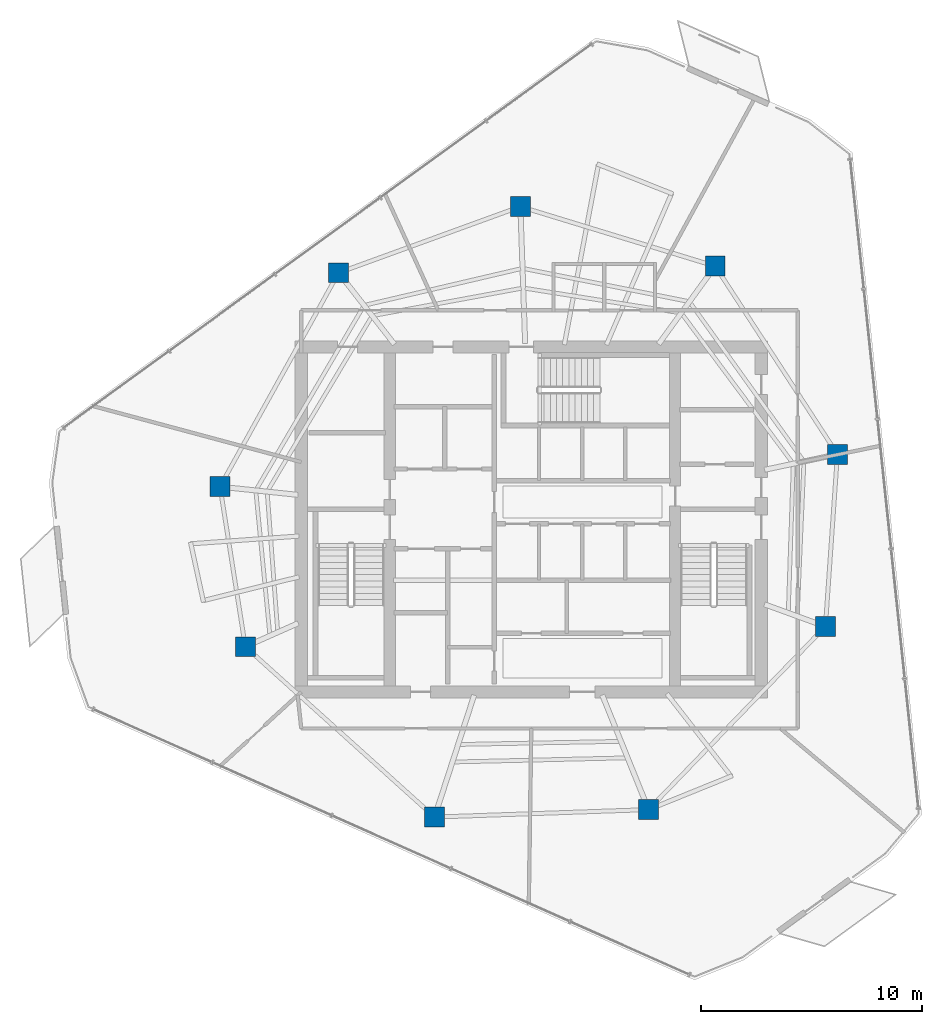
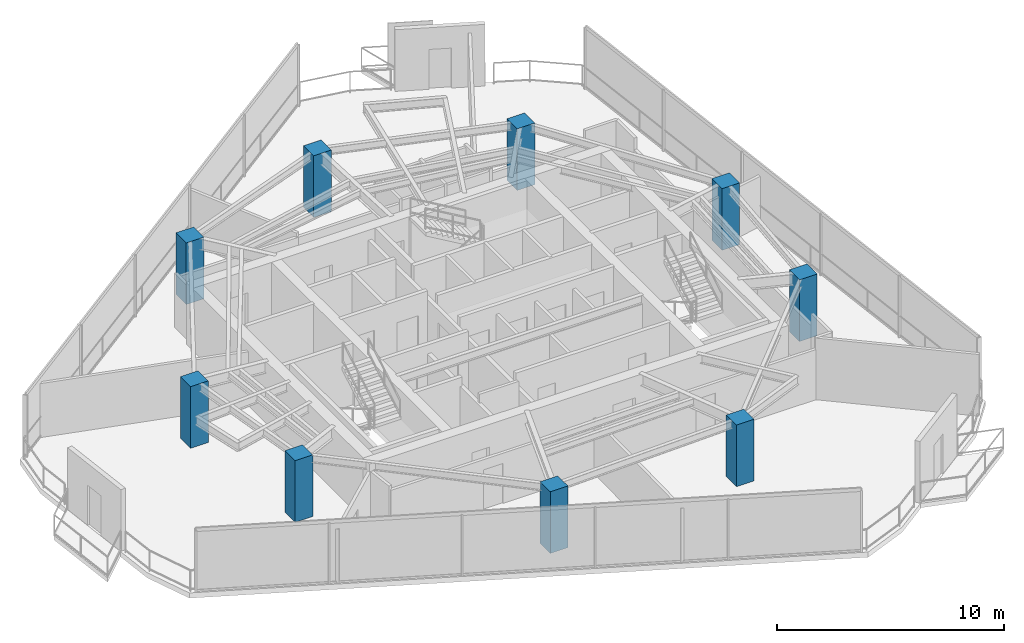
# One storey, part 1 of 20: 9 columns.
"""IFC4 building model written with IfcOpenShell, lengths in metres."""

import ifcopenshell
import ifcopenshell.guid

model = None  # the IFC model being written
_history = None  # IfcOwnerHistory: only IFC2X3 demands one
_inside = {}  # id of a spatial element -> (the spatial element, [elements in it])
_under = {}  # id of a project, library or spatial element -> (it, [spatial elements below it])
_declared = {}  # id of a project -> (the project, [libraries it declares])
_typed = {}  # id of a type object -> (the type object, [elements of that type])
_made_of = {}  # id of a material, layer set ... -> (it, [elements and type objects made of it])


def new_model(schema):
    """Start an empty IFC model of exactly this schema.

    Asked for "IFC4X3", IfcOpenShell would pick the latest addendum, in which some entities
    have other attributes; the version numbers below select the first issue.
    IFC2X3 requires an IfcOwnerHistory on every rooted entity: one is made here for all.
    """
    global model, _history
    if schema == "IFC4X3":
        model = ifcopenshell.file(schema_version=(4, 3, 0, 0))
    else:
        model = ifcopenshell.file(schema=schema)
    _inside.clear()
    _under.clear()
    _declared.clear()
    _typed.clear()
    _made_of.clear()
    _history = None
    if model.schema == "IFC2X3":
        org = make("IfcOrganization", Name="unknown")
        user = make(
            "IfcPersonAndOrganization",
            ThePerson=make("IfcPerson", FamilyName="unknown"),
            TheOrganization=org,
        )
        app = make(
            "IfcApplication",
            ApplicationDeveloper=org,
            Version="unknown",
            ApplicationFullName="unknown",
            ApplicationIdentifier="unknown",
        )
        _history = make(
            "IfcOwnerHistory",
            OwningUser=user,
            OwningApplication=app,
            ChangeAction="ADDED",
            CreationDate=0,
        )
    return model


def make(cls, **values):
    """One entity of the class cls with the attributes given. An attribute that is None is left unset."""
    return model.create_entity(
        cls, **{name: value for name, value in values.items() if value is not None}
    )


def rooted(cls, **values):
    """An entity with a GlobalId (a new one), such as an element, a storey or a relation."""
    return make(cls, GlobalId=ifcopenshell.guid.new(), OwnerHistory=_history, **values)


def si_unit(unit_type, name, prefix=None):
    """IfcSIUnit, for example si_unit("LENGTHUNIT", "METRE", prefix="MILLI")."""
    return make("IfcSIUnit", UnitType=unit_type, Prefix=prefix, Name=name)


def assignment(units):
    """IfcUnitAssignment: the units of a project."""
    return None if units is None else make("IfcUnitAssignment", Units=units)


def point(xyz):
    """IfcCartesianPoint."""
    return None if xyz is None else make("IfcCartesianPoint", Coordinates=xyz)


def direction(xyz):
    """IfcDirection."""
    return None if xyz is None else make("IfcDirection", DirectionRatios=xyz)


def frame(location, z_axis=None, x_axis=None):
    """IfcAxis2Placement3D, a coordinate frame: its origin and axes. An axis left out is left unset."""
    return make(
        "IfcAxis2Placement3D",
        Location=point(location),
        Axis=direction(z_axis),
        RefDirection=direction(x_axis),
    )


def frame_2d(location, x_axis=None):
    """IfcAxis2Placement2D, a coordinate frame in the plane: its origin and x axis."""
    return make(
        "IfcAxis2Placement2D", Location=point(location), RefDirection=direction(x_axis)
    )


def origin():
    """The frame at (0, 0, 0) with its axes left unset."""
    return frame((0.0, 0.0, 0.0))


def origin_2d():
    """The frame at (0, 0) in the plane with its x axis left unset."""
    return frame_2d((0.0, 0.0))


def place(relative_to, where):
    """IfcLocalPlacement: puts the frame where relative to a parent placement (None: the world)."""
    return make(
        "IfcLocalPlacement", PlacementRelTo=relative_to, RelativePlacement=where
    )


def context(
    kind, dimensions, precision=None, world=None, true_north=None, identifier=None
):
    """IfcGeometricRepresentationContext, for example the 3D "Model" context."""
    return make(
        "IfcGeometricRepresentationContext",
        ContextIdentifier=identifier,
        ContextType=kind,
        CoordinateSpaceDimension=dimensions,
        Precision=precision,
        WorldCoordinateSystem=world,
        TrueNorth=true_north,
    )


def subcontext(parent, identifier, kind, view, scale=None):
    """IfcGeometricRepresentationSubContext, for example "Body" below "Model"."""
    return make(
        "IfcGeometricRepresentationSubContext",
        ContextIdentifier=identifier,
        ContextType=kind,
        ParentContext=parent,
        TargetScale=scale,
        TargetView=view,
    )


def project(units=None, contexts=None):
    """IfcProject with its units and contexts."""
    return rooted(
        "IfcProject",
        Name="project",
        RepresentationContexts=contexts,
        UnitsInContext=assignment(units),
    )


def spatial(cls, under=None, at=None, **own):
    """A site, building, storey or space (cls), placed at a placement, below another one or the project."""
    s = rooted(cls, ObjectPlacement=at, **own)
    if under is not None:
        _under.setdefault(under.id(), (under, []))[1].append(s)
    return s


def profile(cls, at=None, kind="AREA", **sizes):
    """A parametric profile (cls). Its sizes go by their IFC names, for example OverallWidth=200.0."""
    return make(cls, ProfileType=kind, Position=at, **sizes)


def rectangle(**sizes):
    """IfcRectangleProfileDef."""
    return profile("IfcRectangleProfileDef", **sizes)


def extrude(swept, where, along, depth):
    """IfcExtrudedAreaSolid: the profile swept, set in the frame where, extruded along a direction by depth."""
    return make(
        "IfcExtrudedAreaSolid",
        SweptArea=swept,
        Position=where,
        ExtrudedDirection=direction(along),
        Depth=depth,
    )


def shape(context_of_items, identifier, shape_type, items):
    """IfcShapeRepresentation: the items that make up one representation, for example the "Body"."""
    return make(
        "IfcShapeRepresentation",
        ContextOfItems=context_of_items,
        RepresentationIdentifier=identifier,
        RepresentationType=shape_type,
        Items=items,
    )


def material(Name=None, Category=None):
    """IfcMaterial."""
    return make("IfcMaterial", Name=Name, Category=Category)


def material_profile(
    of_material, cross_section, Name=None, Category=None, Priority=None
):
    """IfcMaterialProfile: a cross section and its material."""
    return make(
        "IfcMaterialProfile",
        Name=Name,
        Material=of_material,
        Profile=cross_section,
        Priority=Priority,
        Category=Category,
    )


def profile_set(profiles, Name=None, composite=None):
    """IfcMaterialProfileSet."""
    return make(
        "IfcMaterialProfileSet",
        Name=Name,
        MaterialProfiles=profiles,
        CompositeProfile=composite,
    )


def made_of(thing, what):
    """Note that an element or type object is made of a material, layer set ...; save() writes the relation."""
    if what is not None:
        _made_of.setdefault(what.id(), (what, []))[1].append(thing)
    return thing


def type_object(cls, material=None, **own):
    """A type object (cls), such as IfcWallType, which elements share."""
    return made_of(rooted(cls, **own), material)


def element(
    cls,
    number,
    at=None,
    inside=None,
    cuts=None,
    type_object=None,
    material=None,
    context=None,
    identifier="Body",
    shape_type=None,
    held_by="IfcProductDefinitionShape",
    body=None,
    shapes=None,
    **own,
):
    """One element of the class cls, such as IfcWall. Its Tag is "e" and its number.

    at: its placement. inside: the storey or other place that contains it. cuts: it is an
    opening in that element (IfcRelVoidsElement). A single representation is given by context,
    identifier, shape_type and body (its items); several are given by shapes. held_by: the class
    of the entity that holds the representations. save() writes the other relations.
    """
    e = rooted(cls, Tag="e%d" % number, ObjectPlacement=at, **own)
    if body is not None:
        shapes = [shape(context, identifier, shape_type, body)]
    if shapes is not None:
        e.Representation = make(held_by, Representations=shapes)
    if inside is not None:
        _inside.setdefault(inside.id(), (inside, []))[1].append(e)
    if cuts is not None:
        rooted(
            "IfcRelVoidsElement", RelatingBuildingElement=cuts, RelatedOpeningElement=e
        )
    if type_object is not None:
        _typed.setdefault(type_object.id(), (type_object, []))[1].append(e)
    return made_of(e, material)


def aggregate(whole, parts):
    """IfcRelAggregates: a whole, such as a stair, and the parts it consists of."""
    return rooted("IfcRelAggregates", RelatingObject=whole, RelatedObjects=parts)


def save(model, path):
    """Write the relations noted so far, then the file.

    IfcRelAggregates (storeys below a building ...), IfcRelContainedInSpatialStructure (elements
    in a storey), IfcRelDefinesByType, IfcRelAssociatesMaterial and IfcRelDeclares: one each for
    every whole, place, type object, material and project.
    """
    for whole, parts in _under.values():
        aggregate(whole, parts)
    for where, things in _inside.values():
        rooted(
            "IfcRelContainedInSpatialStructure",
            RelatedElements=things,
            RelatingStructure=where,
        )
    for kind, things in _typed.values():
        rooted("IfcRelDefinesByType", RelatedObjects=things, RelatingType=kind)
    for what, things in _made_of.values():
        rooted("IfcRelAssociatesMaterial", RelatedObjects=things, RelatingMaterial=what)
    for by, libraries in _declared.values():
        rooted("IfcRelDeclares", RelatingContext=by, RelatedDefinitions=libraries)
    model.write(path)


model = new_model("IFC4")

# Units and contexts
model_context = context("Model", 3, precision=1e-05, world=origin(), true_north=direction((0.0, 1.0)))
body_context = subcontext(model_context, "Body", "Model", "MODEL_VIEW")
ifc_project = project(units=[si_unit("LENGTHUNIT", "METRE"), si_unit("AREAUNIT", "SQUARE_METRE"), si_unit("VOLUMEUNIT", "CUBIC_METRE"), si_unit("PLANEANGLEUNIT", "RADIAN"), si_unit("MASSUNIT", "GRAM", prefix="KILO")], contexts=[model_context])

# Site, building, storey
site_placement = place(None, origin())
site = spatial("IfcSite", under=ifc_project, at=site_placement, CompositionType="ELEMENT")
building_placement = place(site_placement, origin())
building = spatial("IfcBuilding", under=site, at=building_placement, Name="Qarnah Convention Tower", CompositionType="ELEMENT")
storey_placement = place(building_placement, frame((0.0, 0.0, 202.199951171875)))
storey = spatial("IfcBuildingStorey", under=building, at=storey_placement, Name="L54", CompositionType="ELEMENT", Elevation=202.199951171875)

# Columns
ifc_material = material(Name="Concrete C50/60", Category="concrete")
ifc_material_profile = material_profile(ifc_material, rectangle(XDim=0.89990234375, YDim=0.89990234375, at=origin_2d()), Name="RC-COL-900X900")
ifc_profile_set = profile_set([ifc_material_profile], Name="Concrete C50/60")
column_type = type_object("IfcColumnType", Name="COL-Z4-900", PredefinedType="COLUMN", material=ifc_profile_set)
for number, where, z_axis, x_axis, name in (
    (1, (51.041015625, 29.342041015625, 0.0), (0.0, 0.0, 1.0), (1.0, 0.0, 0.0), "L54 plumb column PC-Z4-01"),
    (2, (45.51708984375, 37.847900390625, 0.0), (0.0, 0.0, 1.0), (1.0, 0.0, 0.0), "L54 plumb column PC-Z4-02"),
    (3, (36.7060546875, 40.541015625, 0.0), (0.0, 0.0, 1.0), (1.0, 0.0, 0.0), "L54 plumb column PC-Z4-03"),
    (4, (28.488037109375, 37.550048828125, 0.0), (0.0, 0.0, 1.0), (1.0, 0.0, 0.0), "L54 plumb column PC-Z4-04"),
    (5, (23.1279296875, 27.87890625, 0.0), (0.0, 0.0, 1.0), (1.0, 0.0, 0.0), "L54 plumb column PC-Z4-05"),
    (6, (24.27294921875, 20.64501953125, 0.0), (0.0, 0.0, 1.0), (1.0, 0.0, 0.0), "L54 plumb column PC-Z4-06"),
    (7, (32.826904296875, 12.943115234375, 0.0), (0.0, 0.0, 1.0), (1.0, 0.0, 0.0), "L54 plumb column PC-Z4-07"),
    (8, (42.5009765625, 13.280029296875, 0.0), (0.0, 0.0, 1.0), (1.0, 0.0, 0.0), "L54 plumb column PC-Z4-08"),
    (9, (50.4970703125, 21.56005859375, 0.0), (0.0, 0.0, 1.0), (1.0, 0.0, 0.0), "L54 plumb column PC-Z4-09"),
):
    element("IfcColumn", number, at=place(storey_placement, frame(where, z_axis=z_axis, x_axis=x_axis)), inside=storey, type_object=column_type, Name=name, PredefinedType="COLUMN", context=body_context, shape_type="SweptSolid", body=[
        extrude(rectangle(XDim=0.89990234375, YDim=0.89990234375, at=origin_2d()), origin(), (0.0, 0.0, 1.0), 3.320068359375),
    ])

save(model, "model.ifc")
